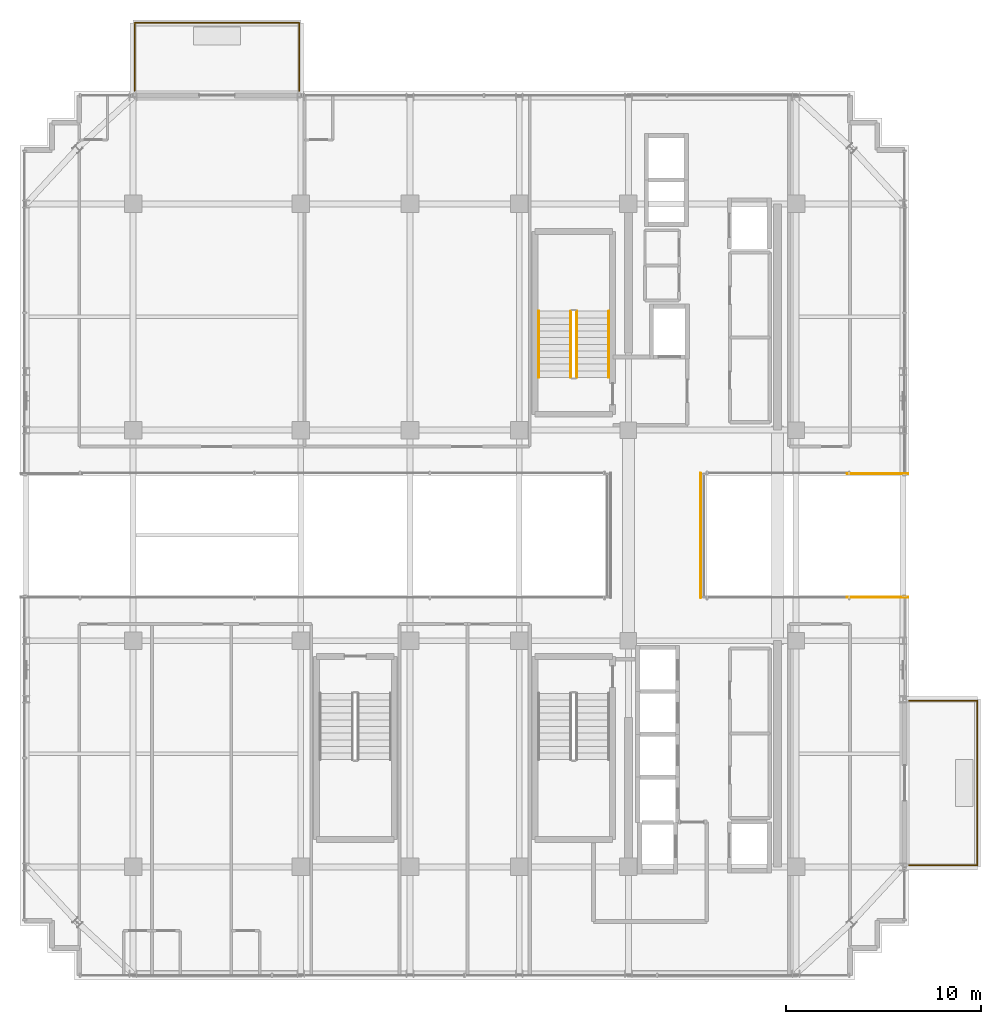
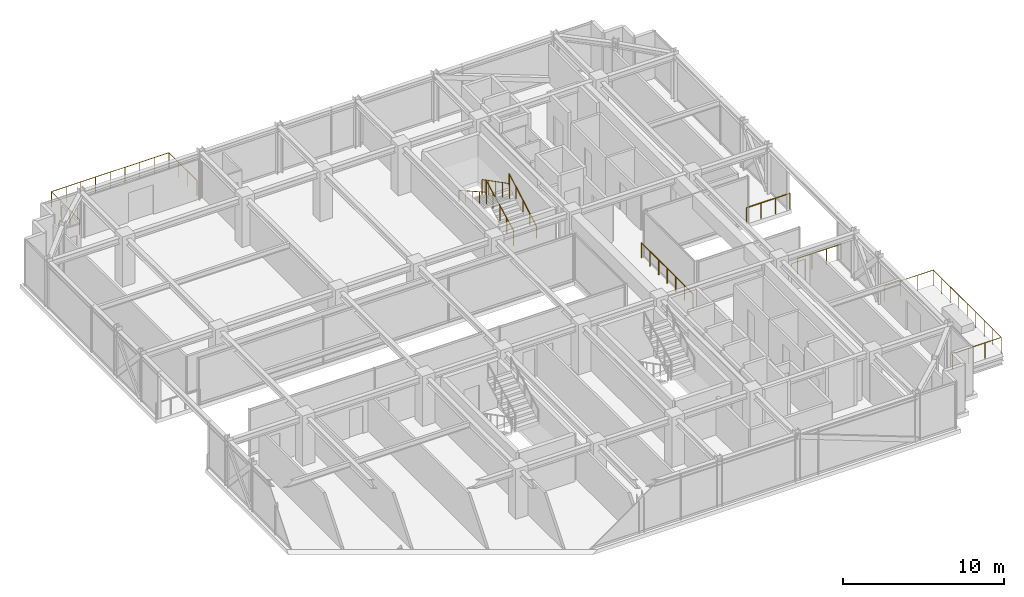
# One storey, part 37 of 39: 9 railings.
"""IFC4 building model written with IfcOpenShell, lengths in metres."""

from ifc_helpers import new_model, si_unit, direction, frame, origin, origin_2d, place, context, subcontext, project, spatial, circle, extrude, material, type_object, element, save


model = new_model("IFC4")

# Units and contexts
model_context = context("Model", 3, precision=1e-05, world=origin(), true_north=direction((0.0, 1.0)))
body_context = subcontext(model_context, "Body", "Model", "MODEL_VIEW")
ifc_project = project(units=[si_unit("LENGTHUNIT", "METRE"), si_unit("AREAUNIT", "SQUARE_METRE"), si_unit("VOLUMEUNIT", "CUBIC_METRE"), si_unit("PLANEANGLEUNIT", "RADIAN"), si_unit("MASSUNIT", "GRAM", prefix="KILO")], contexts=[model_context])

# Site, building, storey
site_placement = place(None, origin())
site = spatial("IfcSite", under=ifc_project, at=site_placement, CompositionType="ELEMENT")
building_placement = place(site_placement, origin())
building = spatial("IfcBuilding", under=site, at=building_placement, Name="Nahalor Promenade Grand Hotel", CompositionType="ELEMENT")
storey_placement = place(building_placement, frame((0.0, 0.0, 311.89990234375)))
storey = spatial("IfcBuildingStorey", under=building, at=storey_placement, Name="L80", CompositionType="ELEMENT", Elevation=311.89990234375)

# Railings
ifc_material_1 = material(Name="Anodised Bronze Aluminium EN AW-6063 T6", Category="aluminium")
railing_type_1 = type_object("IfcRailingType", Name="Bronze Balcony Guardrail 1200 mm", PredefinedType="GUARDRAIL", material=ifc_material_1)
for number, where, name in (
    (1, (19.6201171875, -3.1708984375, 0.0), "L80 Oculus Void Edge Guardrail ES"),
    (2, (19.6201171875, 3.1708984375, 0.0), "L80 Oculus Void Edge Guardrail EN"),
):
    element("IfcRailing", number, at=place(storey_placement, frame(where)), inside=storey, type_object=railing_type_1, Name=name, PredefinedType="GUARDRAIL", context=body_context, shape_type="SweptSolid", body=[
        extrude(circle(Radius=0.024048, at=origin_2d()), frame((0.0, 0.0, 1.17578125), z_axis=(1.0, 0.0, 0.0), x_axis=(0.0, 1.0, 0.0)), (0.0, 0.0, 1.0), 3.119873046875),
        extrude(circle(Radius=0.020996, at=origin_2d()), origin(), (0.0, 0.0, 1.0), 1.14990234375),
        extrude(circle(Radius=0.020996, at=origin_2d()), frame((1.0400390625, 0.0, 0.0)), (0.0, 0.0, 1.0), 1.14990234375),
        extrude(circle(Radius=0.020996, at=origin_2d()), frame((2.079833984375, 0.0, 0.0)), (0.0, 0.0, 1.0), 1.14990234375),
        extrude(circle(Radius=0.020996, at=origin_2d()), frame((3.119873046875, 0.0, 0.0)), (0.0, 0.0, 1.0), 1.14990234375),
    ])
railing_1_placement = place(storey_placement, frame((-16.919921875, 22.800048828125, 0.0)))
element("IfcRailing", 3, at=railing_1_placement, inside=storey, type_object=railing_type_1, Name="L80 Balcony Guardrail 1", PredefinedType="GUARDRAIL", context=body_context, shape_type="SweptSolid", body=[
    extrude(circle(Radius=0.024048, at=origin_2d()), frame((0.0, 0.0, 1.17578125), z_axis=(0.0, 1.0, 0.0), x_axis=(-1.0, 0.0, 0.0)), (0.0, 0.0, 1.0), 3.47802734375),
    extrude(circle(Radius=0.024048, at=origin_2d()), frame((0.001953125, 3.47998046875, 1.17578125), z_axis=(1.0, 0.0, 0.0), x_axis=(0.0, 1.0, 0.0)), (0.0, 0.0, 1.0), 8.43603515625),
    extrude(circle(Radius=0.024048, at=origin_2d()), frame((8.43994140625, 3.47802734375, 1.17578125), z_axis=(0.0, -1.0, 0.0), x_axis=(1.0, 0.0, 0.0)), (0.0, 0.0, 1.0), 3.47802734375),
    extrude(circle(Radius=0.020996, at=origin_2d()), origin(), (0.0, 0.0, 1.0), 1.14990234375),
    extrude(circle(Radius=0.020996, at=origin_2d()), frame((0.0, 1.159912109375, 0.0)), (0.0, 0.0, 1.0), 1.14990234375),
    extrude(circle(Radius=0.020996, at=origin_2d()), frame((0.0, 2.320068359375, 0.0)), (0.0, 0.0, 1.0), 1.14990234375),
    extrude(circle(Radius=0.020996, at=origin_2d()), frame((0.0, 3.47998046875, 0.0)), (0.0, 0.0, 1.0), 1.14990234375),
    extrude(circle(Radius=0.020996, at=origin_2d()), frame((1.054931640625, 3.47998046875, 0.0)), (0.0, 0.0, 1.0), 1.14990234375),
    extrude(circle(Radius=0.020996, at=origin_2d()), frame((2.10986328125, 3.47998046875, 0.0)), (0.0, 0.0, 1.0), 1.14990234375),
    extrude(circle(Radius=0.020996, at=origin_2d()), frame((3.1650390625, 3.47998046875, 0.0)), (0.0, 0.0, 1.0), 1.14990234375),
    extrude(circle(Radius=0.020996, at=origin_2d()), frame((4.219970703125, 3.47998046875, 0.0)), (0.0, 0.0, 1.0), 1.14990234375),
    extrude(circle(Radius=0.020996, at=origin_2d()), frame((5.27490234375, 3.47998046875, 0.0)), (0.0, 0.0, 1.0), 1.14990234375),
    extrude(circle(Radius=0.020996, at=origin_2d()), frame((6.330078125, 3.47998046875, 0.0)), (0.0, 0.0, 1.0), 1.14990234375),
    extrude(circle(Radius=0.020996, at=origin_2d()), frame((7.385009765625, 3.47998046875, 0.0)), (0.0, 0.0, 1.0), 1.14990234375),
    extrude(circle(Radius=0.020996, at=origin_2d()), frame((8.43994140625, 3.47998046875, 0.0)), (0.0, 0.0, 1.0), 1.14990234375),
    extrude(circle(Radius=0.020996, at=origin_2d()), frame((8.43994140625, 2.320068359375, 0.0)), (0.0, 0.0, 1.0), 1.14990234375),
    extrude(circle(Radius=0.020996, at=origin_2d()), frame((8.43994140625, 1.159912109375, 0.0)), (0.0, 0.0, 1.0), 1.14990234375),
    extrude(circle(Radius=0.020996, at=origin_2d()), frame((8.43994140625, 0.0, 0.0)), (0.0, 0.0, 1.0), 1.14990234375),
])
railing_2_placement = place(storey_placement, frame((22.800048828125, -16.919921875, 0.0)))
element("IfcRailing", 4, at=railing_2_placement, inside=storey, type_object=railing_type_1, Name="L80 Balcony Guardrail 2", PredefinedType="GUARDRAIL", context=body_context, shape_type="SweptSolid", body=[
    extrude(circle(Radius=0.024048, at=origin_2d()), frame((0.0, 0.0, 1.17578125), z_axis=(1.0, 0.0, 0.0), x_axis=(0.0, 1.0, 0.0)), (0.0, 0.0, 1.0), 3.498046875),
    extrude(circle(Radius=0.024048, at=origin_2d()), frame((3.5, 0.001953125, 1.17578125), z_axis=(0.0, 1.0, 0.0), x_axis=(-1.0, 0.0, 0.0)), (0.0, 0.0, 1.0), 8.43603515625),
    extrude(circle(Radius=0.024048, at=origin_2d()), frame((3.498046875, 8.43994140625, 1.17578125), z_axis=(-1.0, 0.0, 0.0), x_axis=(0.0, -1.0, 0.0)), (0.0, 0.0, 1.0), 3.498046875),
    extrude(circle(Radius=0.020996, at=origin_2d()), origin(), (0.0, 0.0, 1.0), 1.14990234375),
    extrude(circle(Radius=0.020996, at=origin_2d()), frame((1.166748046875, 0.0, 0.0)), (0.0, 0.0, 1.0), 1.14990234375),
    extrude(circle(Radius=0.020996, at=origin_2d()), frame((2.333251953125, 0.0, 0.0)), (0.0, 0.0, 1.0), 1.14990234375),
    extrude(circle(Radius=0.020996, at=origin_2d()), frame((3.5, 0.0, 0.0)), (0.0, 0.0, 1.0), 1.14990234375),
    extrude(circle(Radius=0.020996, at=origin_2d()), frame((3.5, 1.054931640625, 0.0)), (0.0, 0.0, 1.0), 1.14990234375),
    extrude(circle(Radius=0.020996, at=origin_2d()), frame((3.5, 2.10986328125, 0.0)), (0.0, 0.0, 1.0), 1.14990234375),
    extrude(circle(Radius=0.020996, at=origin_2d()), frame((3.5, 3.1650390625, 0.0)), (0.0, 0.0, 1.0), 1.14990234375),
    extrude(circle(Radius=0.020996, at=origin_2d()), frame((3.5, 4.219970703125, 0.0)), (0.0, 0.0, 1.0), 1.14990234375),
    extrude(circle(Radius=0.020996, at=origin_2d()), frame((3.5, 5.27490234375, 0.0)), (0.0, 0.0, 1.0), 1.14990234375),
    extrude(circle(Radius=0.020996, at=origin_2d()), frame((3.5, 6.330078125, 0.0)), (0.0, 0.0, 1.0), 1.14990234375),
    extrude(circle(Radius=0.020996, at=origin_2d()), frame((3.5, 7.385009765625, 0.0)), (0.0, 0.0, 1.0), 1.14990234375),
    extrude(circle(Radius=0.020996, at=origin_2d()), frame((3.5, 8.43994140625, 0.0)), (0.0, 0.0, 1.0), 1.14990234375),
    extrude(circle(Radius=0.020996, at=origin_2d()), frame((2.333251953125, 8.43994140625, 0.0)), (0.0, 0.0, 1.0), 1.14990234375),
    extrude(circle(Radius=0.020996, at=origin_2d()), frame((1.166748046875, 8.43994140625, 0.0)), (0.0, 0.0, 1.0), 1.14990234375),
    extrude(circle(Radius=0.020996, at=origin_2d()), frame((0.0, 8.43994140625, 0.0)), (0.0, 0.0, 1.0), 1.14990234375),
])
railing_type_2 = type_object("IfcRailingType", Name="Bronze Sky Balustrade 1150 mm", PredefinedType="BALUSTRADE", material=ifc_material_1)
railing_3_placement = place(storey_placement, frame((12.10009765625, -3.19091796875, 0.0)))
element("IfcRailing", 5, at=railing_3_placement, inside=storey, type_object=railing_type_2, Name="BL-L80-BRG-E", PredefinedType="BALUSTRADE", context=body_context, shape_type="SweptSolid", body=[
    extrude(circle(Radius=0.024048, at=origin_2d()), frame((0.0, 0.0, 1.1259765625), z_axis=(0.0, 1.0, 0.0), x_axis=(-1.0, 0.0, 0.0)), (0.0, 0.0, 1.0), 6.3818359375),
    extrude(circle(Radius=0.020996, at=origin_2d()), origin(), (0.0, 0.0, 1.0), 1.099853515625),
    extrude(circle(Radius=0.020996, at=origin_2d()), frame((0.0, 1.063720703125, 0.0)), (0.0, 0.0, 1.0), 1.099853515625),
    extrude(circle(Radius=0.020996, at=origin_2d()), frame((0.0, 2.127197265625, 0.0)), (0.0, 0.0, 1.0), 1.099853515625),
    extrude(circle(Radius=0.020996, at=origin_2d()), frame((0.0, 3.19091796875, 0.0)), (0.0, 0.0, 1.0), 1.099853515625),
    extrude(circle(Radius=0.020996, at=origin_2d()), frame((0.0, 4.254638671875, 0.0)), (0.0, 0.0, 1.0), 1.099853515625),
    extrude(circle(Radius=0.020996, at=origin_2d()), frame((0.0, 5.318115234375, 0.0)), (0.0, 0.0, 1.0), 1.099853515625),
    extrude(circle(Radius=0.020996, at=origin_2d()), frame((0.0, 6.3818359375, 0.0)), (0.0, 0.0, 1.0), 1.099853515625),
])
ifc_material_2 = material(Name="Steel S355JR", Category="steel")
railing_type_3 = type_object("IfcRailingType", Name="Steel Stair Guardrail 1150 mm", PredefinedType="GUARDRAIL", material=ifc_material_2)
railing_4_placement = place(storey_placement, frame((5.75, 8.10009765625, 0.175048828125)))
element("IfcRailing", 6, at=railing_4_placement, inside=storey, type_object=railing_type_3, Name="L80 ST1 stair guard 1", PredefinedType="GUARDRAIL", context=body_context, shape_type="SweptSolid", body=[
    extrude(circle(Radius=0.024048, at=origin_2d()), frame((0.0, 0.0, 1.1259765625), z_axis=(0.0, 0.889130461562, 0.457653823673), x_axis=(-1.0, 0.0, 0.0)), (0.0, 0.0, 1.0), 3.82373046875),
    extrude(circle(Radius=0.020996, at=origin_2d()), origin(), (0.0, 0.0, 1.0), 1.099853515625),
    extrude(circle(Radius=0.020996, at=origin_2d()), frame((0.0, 0.85009765625, 0.4375)), (0.0, 0.0, 1.0), 1.099853515625),
    extrude(circle(Radius=0.020996, at=origin_2d()), frame((0.0, 1.699951171875, 0.875)), (0.0, 0.0, 1.0), 1.099853515625),
    extrude(circle(Radius=0.020996, at=origin_2d()), frame((0.0, 2.5498046875, 1.3125)), (0.0, 0.0, 1.0), 1.099853515625),
    extrude(circle(Radius=0.020996, at=origin_2d()), frame((0.0, 3.39990234375, 1.75)), (0.0, 0.0, 1.0), 1.099853515625),
])
railing_5_placement = place(storey_placement, frame((5.449951171875, 11.5, 2.10009765625)))
element("IfcRailing", 7, at=railing_5_placement, inside=storey, type_object=railing_type_3, Name="L80 ST1 stair guard 3", PredefinedType="GUARDRAIL", context=body_context, shape_type="SweptSolid", body=[
    extrude(circle(Radius=0.024048, at=origin_2d()), frame((0.0, 0.0, 1.1259765625), z_axis=(0.0, -0.889130461562, 0.457653823673), x_axis=(1.0, 0.0, 0.0)), (0.0, 0.0, 1.0), 3.82373046875),
    extrude(circle(Radius=0.020996, at=origin_2d()), origin(), (0.0, 0.0, 1.0), 1.099853515625),
    extrude(circle(Radius=0.020996, at=origin_2d()), frame((0.0, -0.85009765625, 0.4375)), (0.0, 0.0, 1.0), 1.099853515625),
    extrude(circle(Radius=0.020996, at=origin_2d()), frame((0.0, -1.699951171875, 0.875)), (0.0, 0.0, 1.0), 1.099853515625),
    extrude(circle(Radius=0.020996, at=origin_2d()), frame((0.0, -2.5498046875, 1.3125)), (0.0, 0.0, 1.0), 1.099853515625),
    extrude(circle(Radius=0.020996, at=origin_2d()), frame((0.0, -3.39990234375, 1.75)), (0.0, 0.0, 1.0), 1.099853515625),
])
railing_type_4 = type_object("IfcRailingType", Name="Steel Stair Handrail 900 mm", PredefinedType="HANDRAIL", material=ifc_material_2)
railing_6_placement = place(storey_placement, frame((7.39990234375, 8.10009765625, 0.175048828125)))
element("IfcRailing", 8, at=railing_6_placement, inside=storey, type_object=railing_type_4, Name="L80 ST1 stair handrail 1", PredefinedType="HANDRAIL", context=body_context, shape_type="SweptSolid", body=[
    extrude(circle(Radius=0.024048, at=origin_2d()), frame((0.0, 0.0, 0.8759765625), z_axis=(0.0, 0.870193670192, 0.492709829776), x_axis=(-1.0, 0.0, 0.0)), (0.0, 0.0, 1.0), 3.906982421875),
    extrude(circle(Radius=0.020996, at=origin_2d()), origin(), (0.0, 0.0, 1.0), 0.849853515625),
    extrude(circle(Radius=0.020996, at=origin_2d()), frame((0.0, 0.85009765625, 0.481201171875)), (0.0, 0.0, 1.0), 0.849853515625),
    extrude(circle(Radius=0.020996, at=origin_2d()), frame((0.0, 1.699951171875, 0.96240234375)), (0.0, 0.0, 1.0), 0.849853515625),
    extrude(circle(Radius=0.020996, at=origin_2d()), frame((0.0, 2.5498046875, 1.44384765625)), (0.0, 0.0, 1.0), 0.849853515625),
    extrude(circle(Radius=0.020996, at=origin_2d()), frame((0.0, 3.39990234375, 1.925048828125)), (0.0, 0.0, 1.0), 0.849853515625),
])
railing_7_placement = place(storey_placement, frame((3.800048828125, 11.5, 2.10009765625)))
element("IfcRailing", 9, at=railing_7_placement, inside=storey, type_object=railing_type_4, Name="L80 ST1 stair handrail 2", PredefinedType="HANDRAIL", context=body_context, shape_type="SweptSolid", body=[
    extrude(circle(Radius=0.024048, at=origin_2d()), frame((0.0, 0.0, 0.8759765625), z_axis=(0.0, -0.870193670192, 0.492709829776), x_axis=(1.0, 0.0, 0.0)), (0.0, 0.0, 1.0), 3.906982421875),
    extrude(circle(Radius=0.020996, at=origin_2d()), origin(), (0.0, 0.0, 1.0), 0.849853515625),
    extrude(circle(Radius=0.020996, at=origin_2d()), frame((0.0, -0.85009765625, 0.481201171875)), (0.0, 0.0, 1.0), 0.849853515625),
    extrude(circle(Radius=0.020996, at=origin_2d()), frame((0.0, -1.699951171875, 0.96240234375)), (0.0, 0.0, 1.0), 0.849853515625),
    extrude(circle(Radius=0.020996, at=origin_2d()), frame((0.0, -2.5498046875, 1.44384765625)), (0.0, 0.0, 1.0), 0.849853515625),
    extrude(circle(Radius=0.020996, at=origin_2d()), frame((0.0, -3.39990234375, 1.925048828125)), (0.0, 0.0, 1.0), 0.849853515625),
])

save(model, "model.ifc")
